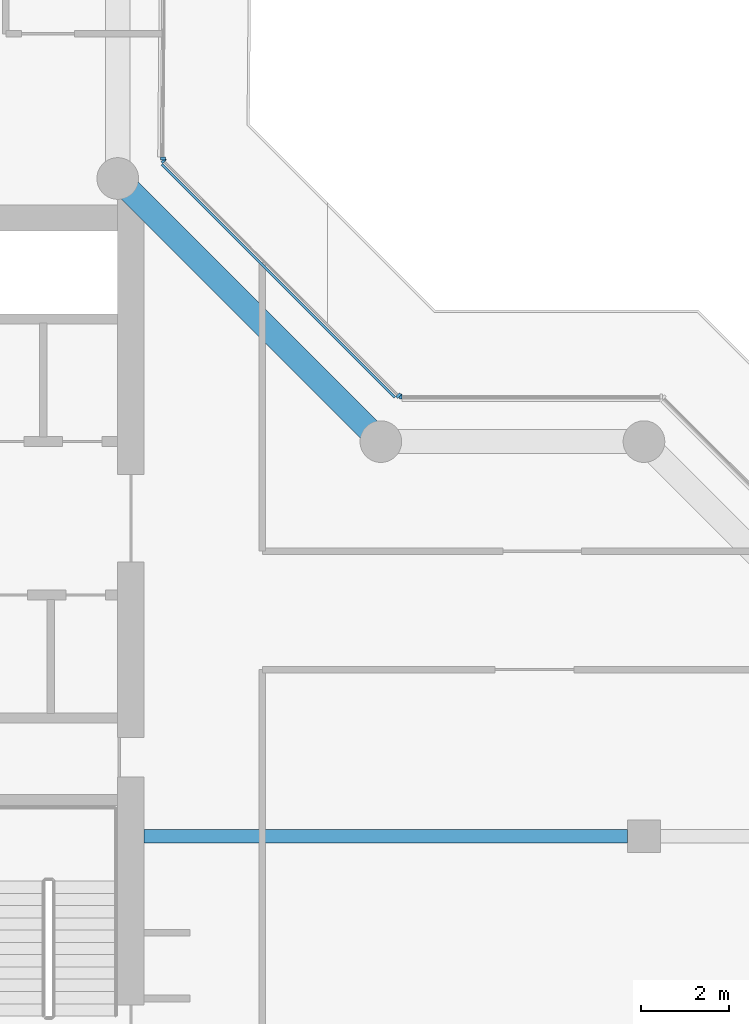
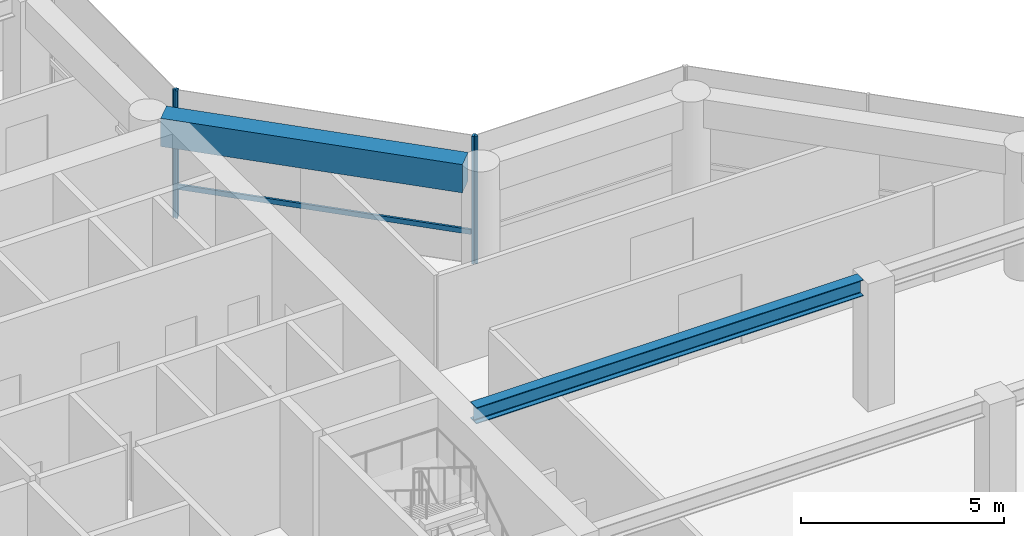
# One storey, part 5 of 19: 5 members, 2 beams, 3 elements without a shape of their own.
"""IFC4 building model written with IfcOpenShell, lengths in metres."""

import ifcopenshell
import ifcopenshell.guid

model = None  # the IFC model being written
_history = None  # IfcOwnerHistory: only IFC2X3 demands one
_inside = {}  # id of a spatial element -> (the spatial element, [elements in it])
_under = {}  # id of a project, library or spatial element -> (it, [spatial elements below it])
_declared = {}  # id of a project -> (the project, [libraries it declares])
_typed = {}  # id of a type object -> (the type object, [elements of that type])
_made_of = {}  # id of a material, layer set ... -> (it, [elements and type objects made of it])


def new_model(schema):
    """Start an empty IFC model of exactly this schema.

    Asked for "IFC4X3", IfcOpenShell would pick the latest addendum, in which some entities
    have other attributes; the version numbers below select the first issue.
    IFC2X3 requires an IfcOwnerHistory on every rooted entity: one is made here for all.
    """
    global model, _history
    if schema == "IFC4X3":
        model = ifcopenshell.file(schema_version=(4, 3, 0, 0))
    else:
        model = ifcopenshell.file(schema=schema)
    _inside.clear()
    _under.clear()
    _declared.clear()
    _typed.clear()
    _made_of.clear()
    _history = None
    if model.schema == "IFC2X3":
        org = make("IfcOrganization", Name="unknown")
        user = make(
            "IfcPersonAndOrganization",
            ThePerson=make("IfcPerson", FamilyName="unknown"),
            TheOrganization=org,
        )
        app = make(
            "IfcApplication",
            ApplicationDeveloper=org,
            Version="unknown",
            ApplicationFullName="unknown",
            ApplicationIdentifier="unknown",
        )
        _history = make(
            "IfcOwnerHistory",
            OwningUser=user,
            OwningApplication=app,
            ChangeAction="ADDED",
            CreationDate=0,
        )
    return model


def make(cls, **values):
    """One entity of the class cls with the attributes given. An attribute that is None is left unset."""
    return model.create_entity(
        cls, **{name: value for name, value in values.items() if value is not None}
    )


def rooted(cls, **values):
    """An entity with a GlobalId (a new one), such as an element, a storey or a relation."""
    return make(cls, GlobalId=ifcopenshell.guid.new(), OwnerHistory=_history, **values)


def si_unit(unit_type, name, prefix=None):
    """IfcSIUnit, for example si_unit("LENGTHUNIT", "METRE", prefix="MILLI")."""
    return make("IfcSIUnit", UnitType=unit_type, Prefix=prefix, Name=name)


def assignment(units):
    """IfcUnitAssignment: the units of a project."""
    return None if units is None else make("IfcUnitAssignment", Units=units)


def point(xyz):
    """IfcCartesianPoint."""
    return None if xyz is None else make("IfcCartesianPoint", Coordinates=xyz)


def direction(xyz):
    """IfcDirection."""
    return None if xyz is None else make("IfcDirection", DirectionRatios=xyz)


def frame(location, z_axis=None, x_axis=None):
    """IfcAxis2Placement3D, a coordinate frame: its origin and axes. An axis left out is left unset."""
    return make(
        "IfcAxis2Placement3D",
        Location=point(location),
        Axis=direction(z_axis),
        RefDirection=direction(x_axis),
    )


def frame_2d(location, x_axis=None):
    """IfcAxis2Placement2D, a coordinate frame in the plane: its origin and x axis."""
    return make(
        "IfcAxis2Placement2D", Location=point(location), RefDirection=direction(x_axis)
    )


def origin():
    """The frame at (0, 0, 0) with its axes left unset."""
    return frame((0.0, 0.0, 0.0))


def origin_2d():
    """The frame at (0, 0) in the plane with its x axis left unset."""
    return frame_2d((0.0, 0.0))


def place(relative_to, where):
    """IfcLocalPlacement: puts the frame where relative to a parent placement (None: the world)."""
    return make(
        "IfcLocalPlacement", PlacementRelTo=relative_to, RelativePlacement=where
    )


def context(
    kind, dimensions, precision=None, world=None, true_north=None, identifier=None
):
    """IfcGeometricRepresentationContext, for example the 3D "Model" context."""
    return make(
        "IfcGeometricRepresentationContext",
        ContextIdentifier=identifier,
        ContextType=kind,
        CoordinateSpaceDimension=dimensions,
        Precision=precision,
        WorldCoordinateSystem=world,
        TrueNorth=true_north,
    )


def subcontext(parent, identifier, kind, view, scale=None):
    """IfcGeometricRepresentationSubContext, for example "Body" below "Model"."""
    return make(
        "IfcGeometricRepresentationSubContext",
        ContextIdentifier=identifier,
        ContextType=kind,
        ParentContext=parent,
        TargetScale=scale,
        TargetView=view,
    )


def project(units=None, contexts=None):
    """IfcProject with its units and contexts."""
    return rooted(
        "IfcProject",
        Name="project",
        RepresentationContexts=contexts,
        UnitsInContext=assignment(units),
    )


def spatial(cls, under=None, at=None, **own):
    """A site, building, storey or space (cls), placed at a placement, below another one or the project."""
    s = rooted(cls, ObjectPlacement=at, **own)
    if under is not None:
        _under.setdefault(under.id(), (under, []))[1].append(s)
    return s


def profile(cls, at=None, kind="AREA", **sizes):
    """A parametric profile (cls). Its sizes go by their IFC names, for example OverallWidth=200.0."""
    return make(cls, ProfileType=kind, Position=at, **sizes)


def rectangle(**sizes):
    """IfcRectangleProfileDef."""
    return profile("IfcRectangleProfileDef", **sizes)


def i_section(**sizes):
    """IfcIShapeProfileDef."""
    return profile("IfcIShapeProfileDef", **sizes)


def extrude(swept, where, along, depth):
    """IfcExtrudedAreaSolid: the profile swept, set in the frame where, extruded along a direction by depth."""
    return make(
        "IfcExtrudedAreaSolid",
        SweptArea=swept,
        Position=where,
        ExtrudedDirection=direction(along),
        Depth=depth,
    )


def shape(context_of_items, identifier, shape_type, items):
    """IfcShapeRepresentation: the items that make up one representation, for example the "Body"."""
    return make(
        "IfcShapeRepresentation",
        ContextOfItems=context_of_items,
        RepresentationIdentifier=identifier,
        RepresentationType=shape_type,
        Items=items,
    )


def material(Name=None, Category=None):
    """IfcMaterial."""
    return make("IfcMaterial", Name=Name, Category=Category)


def layer(
    of_material, thickness, ventilated=None, Name=None, Category=None, Priority=None
):
    """IfcMaterialLayer: one layer of a wall or slab, of a material (None: an air gap)."""
    return make(
        "IfcMaterialLayer",
        Material=of_material,
        LayerThickness=thickness,
        IsVentilated=ventilated,
        Name=Name,
        Category=Category,
        Priority=Priority,
    )


def layer_set(layers, Name=None):
    """IfcMaterialLayerSet."""
    return make("IfcMaterialLayerSet", MaterialLayers=layers, LayerSetName=Name)


def material_profile(
    of_material, cross_section, Name=None, Category=None, Priority=None
):
    """IfcMaterialProfile: a cross section and its material."""
    return make(
        "IfcMaterialProfile",
        Name=Name,
        Material=of_material,
        Profile=cross_section,
        Priority=Priority,
        Category=Category,
    )


def profile_set(profiles, Name=None, composite=None):
    """IfcMaterialProfileSet."""
    return make(
        "IfcMaterialProfileSet",
        Name=Name,
        MaterialProfiles=profiles,
        CompositeProfile=composite,
    )


def made_of(thing, what):
    """Note that an element or type object is made of a material, layer set ...; save() writes the relation."""
    if what is not None:
        _made_of.setdefault(what.id(), (what, []))[1].append(thing)
    return thing


def type_object(cls, material=None, **own):
    """A type object (cls), such as IfcWallType, which elements share."""
    return made_of(rooted(cls, **own), material)


def element(
    cls,
    number,
    at=None,
    inside=None,
    cuts=None,
    type_object=None,
    material=None,
    context=None,
    identifier="Body",
    shape_type=None,
    held_by="IfcProductDefinitionShape",
    body=None,
    shapes=None,
    **own,
):
    """One element of the class cls, such as IfcWall. Its Tag is "e" and its number.

    at: its placement. inside: the storey or other place that contains it. cuts: it is an
    opening in that element (IfcRelVoidsElement). A single representation is given by context,
    identifier, shape_type and body (its items); several are given by shapes. held_by: the class
    of the entity that holds the representations. save() writes the other relations.
    """
    e = rooted(cls, Tag="e%d" % number, ObjectPlacement=at, **own)
    if body is not None:
        shapes = [shape(context, identifier, shape_type, body)]
    if shapes is not None:
        e.Representation = make(held_by, Representations=shapes)
    if inside is not None:
        _inside.setdefault(inside.id(), (inside, []))[1].append(e)
    if cuts is not None:
        rooted(
            "IfcRelVoidsElement", RelatingBuildingElement=cuts, RelatedOpeningElement=e
        )
    if type_object is not None:
        _typed.setdefault(type_object.id(), (type_object, []))[1].append(e)
    return made_of(e, material)


def aggregate(whole, parts):
    """IfcRelAggregates: a whole, such as a stair, and the parts it consists of."""
    return rooted("IfcRelAggregates", RelatingObject=whole, RelatedObjects=parts)


def save(model, path):
    """Write the relations noted so far, then the file.

    IfcRelAggregates (storeys below a building ...), IfcRelContainedInSpatialStructure (elements
    in a storey), IfcRelDefinesByType, IfcRelAssociatesMaterial and IfcRelDeclares: one each for
    every whole, place, type object, material and project.
    """
    for whole, parts in _under.values():
        aggregate(whole, parts)
    for where, things in _inside.values():
        rooted(
            "IfcRelContainedInSpatialStructure",
            RelatedElements=things,
            RelatingStructure=where,
        )
    for kind, things in _typed.values():
        rooted("IfcRelDefinesByType", RelatedObjects=things, RelatingType=kind)
    for what, things in _made_of.values():
        rooted("IfcRelAssociatesMaterial", RelatedObjects=things, RelatingMaterial=what)
    for by, libraries in _declared.values():
        rooted("IfcRelDeclares", RelatingContext=by, RelatedDefinitions=libraries)
    model.write(path)


model = new_model("IFC4")

# Units and contexts
model_context = context("Model", 3, precision=1e-05, world=origin(), true_north=direction((0.0, 1.0)))
body_context = subcontext(model_context, "Body", "Model", "MODEL_VIEW")
ifc_project = project(units=[si_unit("LENGTHUNIT", "METRE"), si_unit("AREAUNIT", "SQUARE_METRE"), si_unit("VOLUMEUNIT", "CUBIC_METRE"), si_unit("PLANEANGLEUNIT", "RADIAN"), si_unit("MASSUNIT", "GRAM", prefix="KILO")], contexts=[model_context])

# Site, building, storey
site_placement = place(None, origin())
site = spatial("IfcSite", under=ifc_project, at=site_placement, CompositionType="ELEMENT")
building_placement = place(site_placement, origin())
building = spatial("IfcBuilding", under=site, at=building_placement, Name="Welwitschia Terrace Campus", CompositionType="ELEMENT")
storey_placement = place(building_placement, frame((0.0, 0.0, 167.60009765625)))
storey = spatial("IfcBuildingStorey", under=building, at=storey_placement, Name="L37", CompositionType="ELEMENT", Elevation=167.60009765625)

# Beam
ifc_material_1 = material(Name="Steel S355", Category="steel")
ifc_material_profile_1 = material_profile(ifc_material_1, i_section(OverallWidth=0.300048828125, OverallDepth=0.489990234375, WebThickness=0.011962890625, FlangeThickness=0.02294921875, FilletRadius=0.027099609375, at=origin_2d()))
ifc_profile_set_1 = profile_set([ifc_material_profile_1], Name="Steel S355")
beam_type_1 = type_object("IfcBeamType", Name="Interior girder HE 500 A", PredefinedType="BEAM", material=ifc_profile_set_1)
beam_1_placement = place(storey_placement, frame((24.60107421875, 11.0, 3.60498046875), z_axis=(1.0, 0.0, 0.0), x_axis=(0.0, 1.0, 0.0)))
element("IfcBeam", 1, at=beam_1_placement, inside=storey, type_object=beam_type_1, Name="Girder GB4", PredefinedType="BEAM", context=body_context, shape_type="SweptSolid", body=[
    extrude(i_section(OverallWidth=0.300048828125, OverallDepth=0.489990234375, WebThickness=0.011962890625, FlangeThickness=0.02294921875, FilletRadius=0.027099609375, at=origin_2d()), origin(), (0.0, 0.0, 1.0), 11.0234375),
])

# Curtain wall, member
ifc_material_2 = material(Name="Bronze anodised aluminium", Category="aluminium")
ifc_layer = layer(ifc_material_2, 0.1201171875)
ifc_layer_set = layer_set([ifc_layer], Name="Bronze anodised aluminium")
curtain_wall_type = type_object("IfcCurtainWallType", Name="Curtain wall CW2 tower 6000", PredefinedType="NOTDEFINED", material=ifc_layer_set)
curtain_wall_1_placement = place(storey_placement, origin())
curtain_wall_1 = element("IfcCurtainWall", 2, at=curtain_wall_1_placement, inside=storey, type_object=curtain_wall_type, Name="CW L37.9.0", PredefinedType="NOTDEFINED")
ifc_material_3 = material(Name="Bronze anodised aluminium", Category="aluminium")
ifc_material_profile_2 = material_profile(ifc_material_3, rectangle(XDim=0.1201171875, YDim=0.06005859375, at=origin_2d()))
ifc_profile_set_2 = profile_set([ifc_material_profile_2], Name="Bronze anodised aluminium")
member_type_1 = type_object("IfcMemberType", Name="Mullion 60x120", PredefinedType="MULLION", material=ifc_profile_set_2)
member_1_placement = place(storey_placement, frame((30.45654296875, 21.030029296875, 0.0), z_axis=(0.0, 0.0, 1.0), x_axis=(0.0, -1.0, 0.0)))
member_1 = element("IfcMember", 3, at=member_1_placement, type_object=member_type_1, Name="Mullion L37.9.0.1", PredefinedType="MULLION", context=body_context, shape_type="SweptSolid", body=[
    extrude(rectangle(XDim=0.1201171875, YDim=0.06005859375, at=origin_2d()), origin(), (0.0, 0.0, 1.0), 3.849853515625),
])
aggregate(curtain_wall_1, [member_1])

# Curtain wall, members
curtain_wall_2_placement = place(storey_placement, origin())
curtain_wall_2 = element("IfcCurtainWall", 4, at=curtain_wall_2_placement, inside=storey, type_object=curtain_wall_type, Name="CW L37.10.0", PredefinedType="NOTDEFINED")
member_2_placement = place(storey_placement, frame((30.405517578125, 21.05126953125, 0.0), z_axis=(0.0, 0.0, 1.0), x_axis=(-0.707106781187, -0.707106781187, 0.0)))
member_2 = element("IfcMember", 5, at=member_2_placement, type_object=member_type_1, Name="Mullion L37.10.0.0", PredefinedType="MULLION", context=body_context, shape_type="SweptSolid", body=[
    extrude(rectangle(XDim=0.1201171875, YDim=0.06005859375, at=origin_2d()), origin(), (0.0, 0.0, 1.0), 3.849853515625),
])
member_3_placement = place(storey_placement, frame((25.05126953125, 26.4052734375, 0.0), z_axis=(0.0, 0.0, 1.0), x_axis=(-0.707106781187, -0.707106781187, 0.0)))
member_3 = element("IfcMember", 6, at=member_3_placement, type_object=member_type_1, Name="Mullion L37.10.0.1", PredefinedType="MULLION", context=body_context, shape_type="SweptSolid", body=[
    extrude(rectangle(XDim=0.1201171875, YDim=0.06005859375, at=origin_2d()), origin(), (0.0, 0.0, 1.0), 3.849853515625),
])

# Curtain wall, member
curtain_wall_3_placement = place(storey_placement, origin())
curtain_wall_3 = element("IfcCurtainWall", 7, at=curtain_wall_3_placement, inside=storey, type_object=curtain_wall_type, Name="CW L37.11.0", PredefinedType="NOTDEFINED")
member_4_placement = place(storey_placement, frame((25.0302734375, 26.45654296875, 0.0), z_axis=(0.0, 0.0, 1.0), x_axis=(-0.999961923064, 0.008726535498, 0.0)))
member_4 = element("IfcMember", 8, at=member_4_placement, type_object=member_type_1, Name="Mullion L37.11.0.0", PredefinedType="MULLION", context=body_context, shape_type="SweptSolid", body=[
    extrude(rectangle(XDim=0.1201171875, YDim=0.06005859375, at=origin_2d()), origin(), (0.0, 0.0, 1.0), 3.849853515625),
])
aggregate(curtain_wall_3, [member_4])

# Beam
ifc_material_4 = material(Name="Concrete C50/60", Category="concrete")
ifc_material_profile_3 = material_profile(ifc_material_4, rectangle(XDim=0.550048828125, YDim=0.85009765625, at=origin_2d()))
ifc_profile_set_3 = profile_set([ifc_material_profile_3], Name="Concrete C50/60")
beam_type_2 = type_object("IfcBeamType", Name="Ring spandrel 550x850", PredefinedType="SPANDREL", material=ifc_profile_set_3)
beam_2_placement = place(storey_placement, frame((29.7255859375, 20.2744140625, 3.4248046875), z_axis=(-0.707106781187, 0.707106781187, 0.0), x_axis=(-0.707106781187, -0.707106781187, 0.0)))
element("IfcBeam", 9, at=beam_2_placement, inside=storey, type_object=beam_type_2, Name="Spandrel SP3", PredefinedType="SPANDREL", context=body_context, shape_type="SweptSolid", body=[
    extrude(rectangle(XDim=0.550048828125, YDim=0.85009765625, at=origin_2d()), origin(), (0.0, 0.0, 1.0), 7.709228515625),
])

# Member
ifc_material_5 = material(Name="Bronze anodised aluminium", Category="aluminium")
ifc_material_profile_4 = material_profile(ifc_material_5, rectangle(XDim=0.06005859375, YDim=0.14990234375, at=origin_2d()))
ifc_profile_set_4 = profile_set([ifc_material_profile_4], Name="Bronze anodised aluminium")
member_type_2 = type_object("IfcMemberType", Name="Transom 60x150", PredefinedType="USERDEFINED", material=ifc_profile_set_4)
member_5_placement = place(storey_placement, frame((30.320556640625, 21.0087890625, 1.0), z_axis=(-0.707106781187, 0.707106781187, 0.0), x_axis=(-0.707106781187, -0.707106781187, 0.0)))
member_5 = element("IfcMember", 10, at=member_5_placement, type_object=member_type_2, Name="Transom L37.10.0", ObjectType="TRANSOM", PredefinedType="USERDEFINED", context=body_context, shape_type="SweptSolid", body=[
    extrude(rectangle(XDim=0.06005859375, YDim=0.14990234375, at=origin_2d()), origin(), (0.0, 0.0, 1.0), 7.511962890625),
])

aggregate(curtain_wall_2, [member_2, member_3, member_5])

save(model, "model.ifc")
